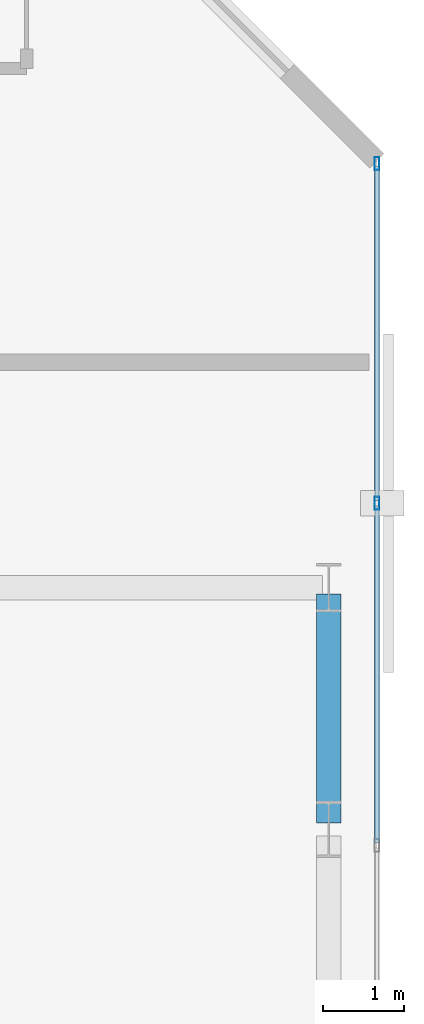
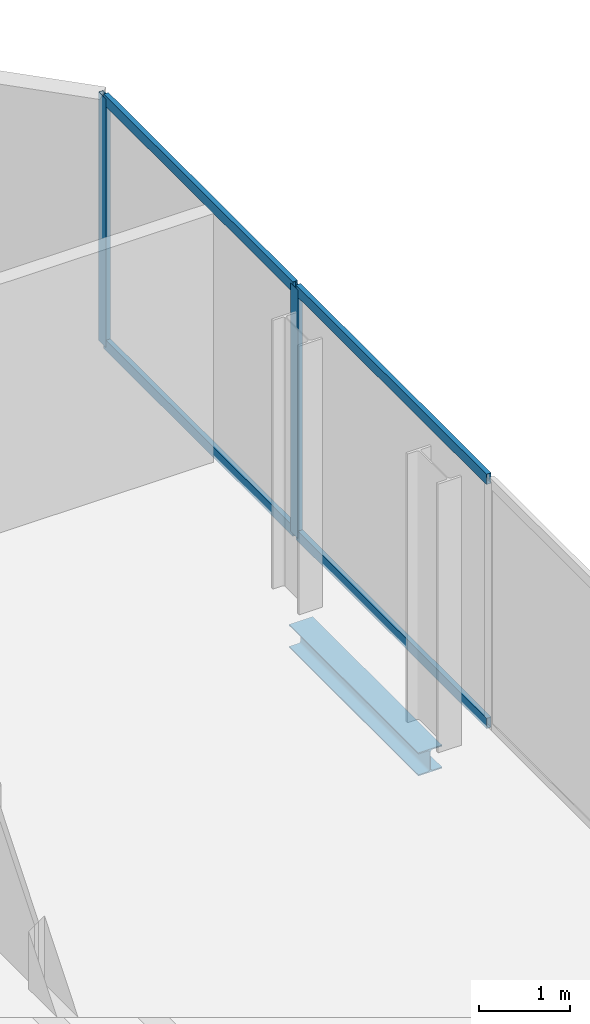
# One storey, part 26 of 32: 6 members, 1 beam, 1 element without a shape of its own.
"""IFC4 building model written with IfcOpenShell, lengths in metres."""

from ifc_helpers import new_model, si_unit, direction, frame, origin, origin_2d, place, context, subcontext, project, spatial, hollow_rectangle, i_section, extrude, material, layer, layer_set, material_profile, profile_set, type_object, element, aggregate, save


model = new_model("IFC4")

# Units and contexts
model_context = context("Model", 3, precision=1e-05, world=origin(), true_north=direction((0.0, 1.0)))
body_context = subcontext(model_context, "Body", "Model", "MODEL_VIEW")
ifc_project = project(units=[si_unit("LENGTHUNIT", "METRE"), si_unit("AREAUNIT", "SQUARE_METRE"), si_unit("VOLUMEUNIT", "CUBIC_METRE"), si_unit("PLANEANGLEUNIT", "RADIAN"), si_unit("MASSUNIT", "GRAM", prefix="KILO")], contexts=[model_context])

# Site, building, storey
site_placement = place(None, origin())
site = spatial("IfcSite", under=ifc_project, at=site_placement, CompositionType="ELEMENT")
building_placement = place(site_placement, origin())
building = spatial("IfcBuilding", under=site, at=building_placement, Name="Catumbela Crestline Tower", CompositionType="ELEMENT")
storey_placement = place(building_placement, frame((0.0, 0.0, 136.8)))
storey = spatial("IfcBuildingStorey", under=building, at=storey_placement, Name="L35", CompositionType="ELEMENT", Elevation=136.8)

# Curtain wall, members
ifc_material_1 = material(Name="Aluminium alloy AW-6060-T66", Category="aluminium")
ifc_layer = layer(ifc_material_1, 0.18, Name="Aluminium alloy AW-6060-T66")
ifc_layer_set = layer_set([ifc_layer], Name="Aluminium alloy AW-6060-T66")
curtain_wall_type = type_object("IfcCurtainWallType", Name="CWU-Z2", PredefinedType="USERDEFINED", material=ifc_layer_set)
curtain_wall_placement = place(storey_placement, origin())
curtain_wall = element("IfcCurtainWall", 1, at=curtain_wall_placement, inside=storey, type_object=curtain_wall_type, Name="L35 Unitised Curtain Wall CW-L35-E5S1", ObjectType="UNITISED", PredefinedType="USERDEFINED")
ifc_material_profile_1 = material_profile(ifc_material_1, hollow_rectangle(XDim=0.06, YDim=0.16, WallThickness=0.004, at=origin_2d()), Name="ALU 160x60x4")
ifc_profile_set_1 = profile_set([ifc_material_profile_1], Name="Aluminium alloy AW-6060-T66")
member_type_1 = type_object("IfcMemberType", Name="MUL-160X60", PredefinedType="MULLION", material=ifc_profile_set_1)
member_1_placement = place(storey_placement, frame((51.0, 40.25, 0.0), z_axis=(0.0, 0.0, 1.0), x_axis=(-1.0, 0.0, 0.0)))
member_1 = element("IfcMember", 2, at=member_1_placement, type_object=member_type_1, Name="CWU-Z2 mullion 4", PredefinedType="MULLION", context=body_context, shape_type="SweptSolid", body=[
    extrude(hollow_rectangle(XDim=0.06, YDim=0.16, WallThickness=0.004, at=origin_2d()), origin(), (0.0, 0.0, 1.0), 3.33),
])
member_2_placement = place(storey_placement, frame((51.0, 44.4675, 0.0), z_axis=(0.0, 0.0, 1.0), x_axis=(-1.0, 0.0, 0.0)))
member_2 = element("IfcMember", 3, at=member_2_placement, type_object=member_type_1, Name="CWU-Z2 mullion 5", PredefinedType="MULLION", context=body_context, shape_type="SweptSolid", body=[
    extrude(hollow_rectangle(XDim=0.06, YDim=0.16, WallThickness=0.004, at=origin_2d()), origin(), (0.0, 0.0, 1.0), 3.33),
])

# Beam
ifc_material_2 = material(Name="Structural steel S355J2", Category="steel")
ifc_material_profile_2 = material_profile(ifc_material_2, i_section(OverallWidth=0.3, OverallDepth=0.31, WebThickness=0.009, FlangeThickness=0.0155, FilletRadius=0.027, at=origin_2d()), Name="HEA 320")
ifc_profile_set_2 = profile_set([ifc_material_profile_2], Name="Structural steel S355J2")
beam_type = type_object("IfcBeamType", Name="BS-HEA320", PredefinedType="SPANDREL", material=ifc_profile_set_2)
beam_placement = place(storey_placement, frame((50.4, 36.28, -0.415), z_axis=(0.0, 1.0, 0.0), x_axis=(-1.0, 0.0, 0.0)))
element("IfcBeam", 4, at=beam_placement, inside=storey, type_object=beam_type, Name="L35 Spandrel SP-L35-SN36", PredefinedType="SPANDREL", context=body_context, shape_type="SweptSolid", body=[
    extrude(i_section(OverallWidth=0.3, OverallDepth=0.31, WebThickness=0.009, FlangeThickness=0.0155, FilletRadius=0.027, at=origin_2d()), origin(), (0.0, 0.0, 1.0), 2.84),
])

# Member
ifc_material_profile_3 = material_profile(ifc_material_1, hollow_rectangle(XDim=0.06, YDim=0.14, WallThickness=0.004, at=origin_2d()), Name="ALU 140x60x4")
ifc_profile_set_3 = profile_set([ifc_material_profile_3], Name="Aluminium alloy AW-6060-T66")
member_type_2 = type_object("IfcMemberType", Name="TRN-140X60", PredefinedType="USERDEFINED", material=ifc_profile_set_3)
member_3_placement = place(storey_placement, frame((51.0, 36.0325, 0.03), z_axis=(0.0, 1.0, 0.0), x_axis=(-1.0, 0.0, 0.0)))
member_3 = element("IfcMember", 5, at=member_3_placement, type_object=member_type_2, Name="CWU-Z2 transom 3.1", ObjectType="TRANSOM", PredefinedType="USERDEFINED", context=body_context, shape_type="SweptSolid", body=[
    extrude(hollow_rectangle(XDim=0.06, YDim=0.14, WallThickness=0.004, at=origin_2d()), origin(), (0.0, 0.0, 1.0), 4.185),
])

member_4_placement = place(storey_placement, frame((51.0, 36.0325, 3.3), z_axis=(0.0, 1.0, 0.0), x_axis=(-1.0, 0.0, 0.0)))
member_4 = element("IfcMember", 6, at=member_4_placement, type_object=member_type_2, Name="CWU-Z2 transom 3.2", ObjectType="TRANSOM", PredefinedType="USERDEFINED", context=body_context, shape_type="SweptSolid", body=[
    extrude(hollow_rectangle(XDim=0.06, YDim=0.14, WallThickness=0.004, at=origin_2d()), origin(), (0.0, 0.0, 1.0), 4.185),
])

member_5_placement = place(storey_placement, frame((51.0, 40.2825, 0.03), z_axis=(0.0, 1.0, 0.0), x_axis=(-1.0, 0.0, 0.0)))
member_5 = element("IfcMember", 7, at=member_5_placement, type_object=member_type_2, Name="CWU-Z2 transom 4.1", ObjectType="TRANSOM", PredefinedType="USERDEFINED", context=body_context, shape_type="SweptSolid", body=[
    extrude(hollow_rectangle(XDim=0.06, YDim=0.14, WallThickness=0.004, at=origin_2d()), origin(), (0.0, 0.0, 1.0), 4.1525),
])

member_6_placement = place(storey_placement, frame((51.0, 40.2825, 3.3), z_axis=(0.0, 1.0, 0.0), x_axis=(-1.0, 0.0, 0.0)))
member_6 = element("IfcMember", 8, at=member_6_placement, type_object=member_type_2, Name="CWU-Z2 transom 4.2", ObjectType="TRANSOM", PredefinedType="USERDEFINED", context=body_context, shape_type="SweptSolid", body=[
    extrude(hollow_rectangle(XDim=0.06, YDim=0.14, WallThickness=0.004, at=origin_2d()), origin(), (0.0, 0.0, 1.0), 4.1525),
])

aggregate(curtain_wall, [member_1, member_2, member_3, member_4, member_5, member_6])

save(model, "model.ifc")
